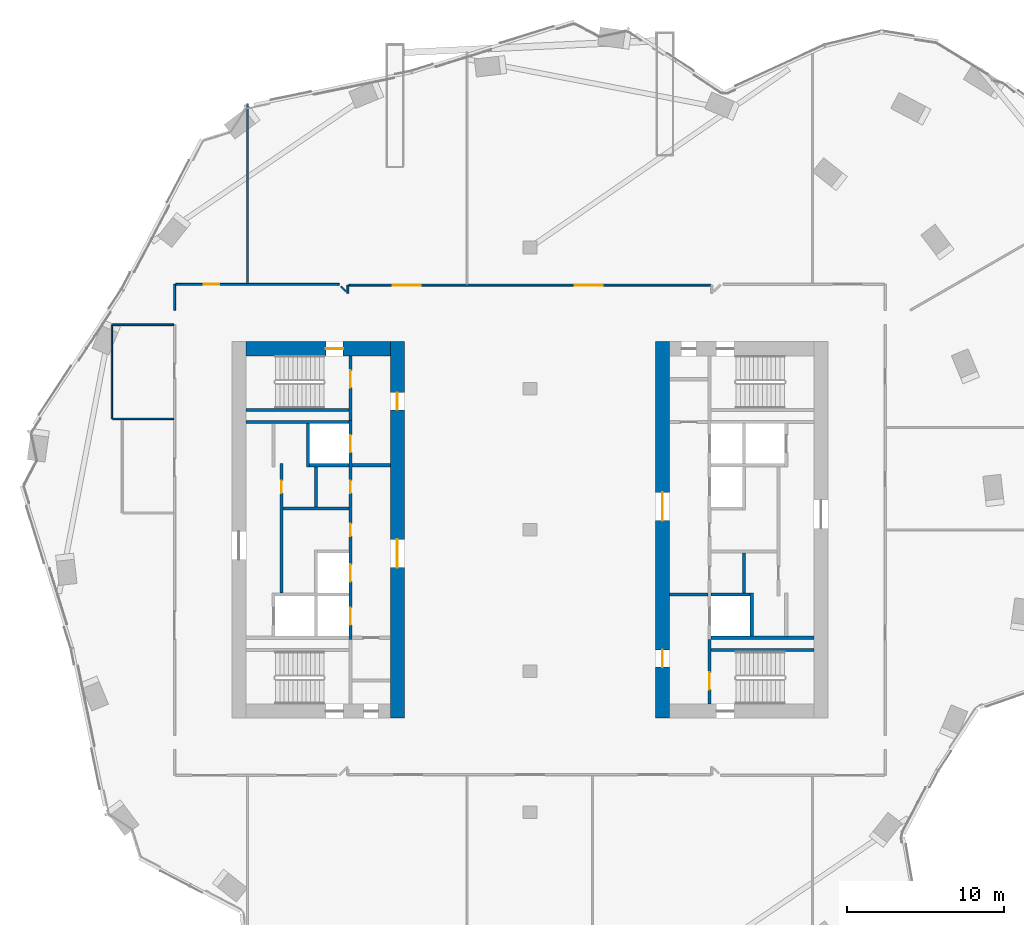
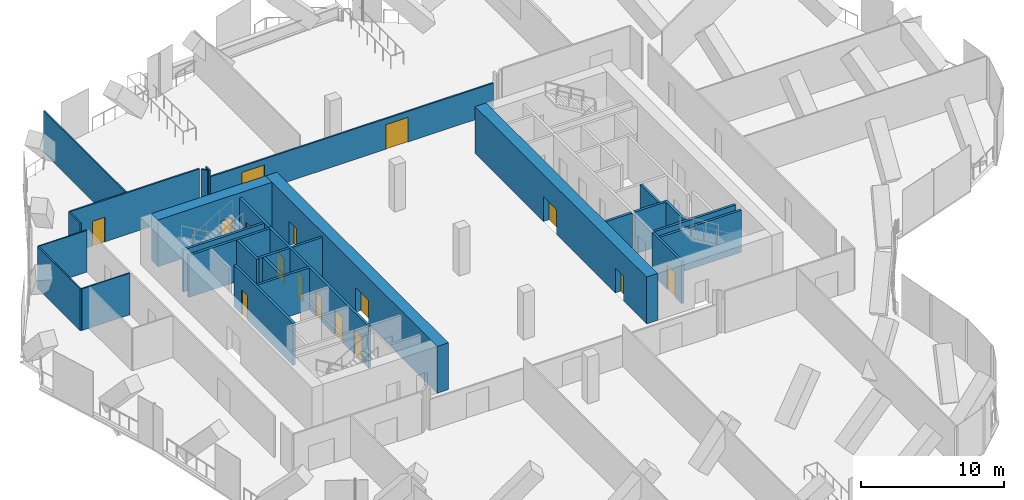
# One storey, part 19 of 26: 29 walls, 16 doors, 16 openings.
"""IFC4 building model written with IfcOpenShell, lengths in metres."""

from ifc_helpers import new_model, si_unit, direction, frame, frame_2d, origin, place, context, subcontext, project, spatial, rectangle, extrude, material, layer, layer_set, type_object, element, fill, save


model = new_model("IFC4")

# Units and contexts
model_context = context("Model", 3, precision=1e-05, world=origin(), true_north=direction((0.0, 1.0)))
body_context = subcontext(model_context, "Body", "Model", "MODEL_VIEW")
ifc_project = project(units=[si_unit("LENGTHUNIT", "METRE"), si_unit("AREAUNIT", "SQUARE_METRE"), si_unit("VOLUMEUNIT", "CUBIC_METRE"), si_unit("PLANEANGLEUNIT", "RADIAN"), si_unit("MASSUNIT", "GRAM", prefix="KILO")], contexts=[model_context])

# Site, building, storey
site_placement = place(None, origin())
site = spatial("IfcSite", under=ifc_project, at=site_placement, CompositionType="ELEMENT")
building_placement = place(site_placement, origin())
building = spatial("IfcBuilding", under=site, at=building_placement, Name="Orlundy Tower", CompositionType="ELEMENT")
storey_placement = place(building_placement, frame((0.0, 0.0, 249.5)))
storey = spatial("IfcBuildingStorey", under=building, at=storey_placement, Name="L66", CompositionType="ELEMENT", Elevation=249.5)

# Wall, opening, door
ifc_material_1 = material(Name="Concrete C60/75", Category="concrete")
ifc_layer_1 = layer(ifc_material_1, 0.89990234375)
ifc_layer_set_1 = layer_set([ifc_layer_1], Name="CORE WALL 900 C60/75")
wall_type_1 = type_object("IfcWallType", Name="CORE WALL 900 C60/75", PredefinedType="SHEAR", material=ifc_layer_set_1)
wall_1_placement = place(storey_placement, frame((-18.10009765625, 11.550048828125, 0.0), z_axis=(0.0, 0.0, 1.0), x_axis=(1.0, 0.0, 0.0)))
wall_1 = element("IfcWall", 1, at=wall_1_placement, inside=storey, type_object=wall_type_1, Name="Core wall W-N L66", PredefinedType="SHEAR", context=body_context, shape_type="SweptSolid", body=[
    extrude(rectangle(XDim=9.2001953125, YDim=0.89990234375, at=frame_2d((4.60009765625, 0.0))), origin(), (0.0, 0.0, 1.0), 4.0),
])
opening_1_placement = place(wall_1_placement, frame((5.10009765625, 0.0, 0.0)))
opening_1 = element("IfcOpeningElement", 2, at=opening_1_placement, cuts=wall_1, Name="Opening 50011", PredefinedType="OPENING", context=body_context, shape_type="SweptSolid", body=[
    extrude(rectangle(XDim=1.10009765625, YDim=2.10009765625, at=frame_2d((0.550048828125, 1.050048828125))), frame((0.0, 0.4599609375, 0.0), z_axis=(0.0, -1.0, 0.0), x_axis=(1.0, 0.0, 0.0)), (0.0, 0.0, 1.0), 0.919921875),
])
ifc_material_2 = material(Name="Steel door set", Category="steel")
door_type_1 = type_object("IfcDoorType", Name="Stair Door 1100x2100", OperationType="SINGLE_SWING_LEFT", PredefinedType="DOOR", material=ifc_material_2)
door_1_placement = place(opening_1_placement, origin())
door_1 = element("IfcDoor", 3, at=door_1_placement, inside=storey, type_object=door_type_1, Name="Stair door 50011", OperationType="SINGLE_SWING_RIGHT", OverallHeight=2.10009765625, OverallWidth=1.10009765625, PredefinedType="DOOR", context=body_context, shape_type="SweptSolid", body=[
    extrude(rectangle(XDim=1.10009765625, YDim=2.10009765625, at=frame_2d((0.550048828125, 1.050048828125))), frame((0.0, 0.02490234375, 0.0), z_axis=(0.0, -1.0, 0.0), x_axis=(1.0, 0.0, 0.0)), (0.0, 0.0, 1.0), 0.050048828125),
])
fill(opening_1, door_1)

# Wall, openings, doors
wall_2_placement = place(storey_placement, frame((-8.449951171875, -12.0, 0.0), z_axis=(0.0, 0.0, 1.0), x_axis=(0.0, 1.0, 0.0)))
wall_2 = element("IfcWall", 4, at=wall_2_placement, inside=storey, type_object=wall_type_1, Name="Core wall W-E L66", PredefinedType="SHEAR", context=body_context, shape_type="SweptSolid", body=[
    extrude(rectangle(XDim=24.0, YDim=0.89990234375, at=frame_2d((12.0, 0.0))), origin(), (0.0, 0.0, 1.0), 4.0),
])
opening_2_placement = place(wall_2_placement, frame((9.60009765625, 0.0, 0.0)))
opening_2 = element("IfcOpeningElement", 5, at=opening_2_placement, cuts=wall_2, Name="Opening 50008", PredefinedType="OPENING", context=body_context, shape_type="SweptSolid", body=[
    extrude(rectangle(XDim=1.800048828125, YDim=2.10009765625, at=frame_2d((0.89990234375, 1.050048828125))), frame((0.0, 0.4599609375, 0.0), z_axis=(0.0, -1.0, 0.0), x_axis=(1.0, 0.0, 0.0)), (0.0, 0.0, 1.0), 0.919921875),
])
opening_3_placement = place(wall_2_placement, frame((19.64990234375, 0.0, 0.0)))
opening_3 = element("IfcOpeningElement", 6, at=opening_3_placement, cuts=wall_2, Name="Opening 50010", PredefinedType="OPENING", context=body_context, shape_type="SweptSolid", body=[
    extrude(rectangle(XDim=1.10009765625, YDim=2.10009765625, at=frame_2d((0.550048828125, 1.050048828125))), frame((0.0, 0.4599609375, 0.0), z_axis=(0.0, -1.0, 0.0), x_axis=(1.0, 0.0, 0.0)), (0.0, 0.0, 1.0), 0.919921875),
])
ifc_material_3 = material(Name="Steel door set", Category="steel")
door_type_2 = type_object("IfcDoorType", Name="Fire-fighting Lobby Door 1100x2100", OperationType="SINGLE_SWING_LEFT", PredefinedType="DOOR", material=ifc_material_3)
door_2_placement = place(opening_3_placement, origin())
door_2 = element("IfcDoor", 7, at=door_2_placement, inside=storey, type_object=door_type_2, Name="Fire-fighting lobby door 50010", OperationType="SINGLE_SWING_RIGHT", OverallHeight=2.10009765625, OverallWidth=1.10009765625, PredefinedType="DOOR", context=body_context, shape_type="SweptSolid", body=[
    extrude(rectangle(XDim=1.10009765625, YDim=2.10009765625, at=frame_2d((0.550048828125, 1.050048828125))), frame((0.0, 0.02490234375, 0.0), z_axis=(0.0, -1.0, 0.0), x_axis=(1.0, 0.0, 0.0)), (0.0, 0.0, 1.0), 0.050048828125),
])
fill(opening_3, door_2)
ifc_material_4 = material(Name="Timber door set", Category="wood")
door_type_3 = type_object("IfcDoorType", Name="Lobby Door 1800x2100", OperationType="DOUBLE_DOOR_DOUBLE_SWING", PredefinedType="DOOR", material=ifc_material_4)
door_3_placement = place(opening_2_placement, origin())
door_3 = element("IfcDoor", 8, at=door_3_placement, inside=storey, type_object=door_type_3, Name="Lift lobby door 50008", OperationType="SINGLE_SWING_LEFT", OverallHeight=2.10009765625, OverallWidth=1.800048828125, PredefinedType="DOOR", context=body_context, shape_type="SweptSolid", body=[
    extrude(rectangle(XDim=1.800048828125, YDim=2.10009765625, at=frame_2d((0.89990234375, 1.050048828125))), frame((0.0, 0.02490234375, 0.0), z_axis=(0.0, -1.0, 0.0), x_axis=(1.0, 0.0, 0.0)), (0.0, 0.0, 1.0), 0.050048828125),
])
fill(opening_2, door_3)

wall_3_placement = place(storey_placement, frame((8.449951171875, -12.0, 0.0), z_axis=(0.0, 0.0, 1.0), x_axis=(0.0, 1.0, 0.0)))
wall_3 = element("IfcWall", 9, at=wall_3_placement, inside=storey, type_object=wall_type_1, Name="Core wall E-W L66", PredefinedType="SHEAR", context=body_context, shape_type="SweptSolid", body=[
    extrude(rectangle(XDim=24.0, YDim=0.89990234375, at=frame_2d((12.0, 0.0))), origin(), (0.0, 0.0, 1.0), 4.0),
])
opening_4_placement = place(wall_3_placement, frame((12.60009765625, 0.0, 0.0)))
opening_4 = element("IfcOpeningElement", 10, at=opening_4_placement, cuts=wall_3, Name="Opening 50057", PredefinedType="OPENING", context=body_context, shape_type="SweptSolid", body=[
    extrude(rectangle(XDim=1.800048828125, YDim=2.10009765625, at=frame_2d((0.89990234375, 1.050048828125))), frame((0.0, 0.4599609375, 0.0), z_axis=(0.0, -1.0, 0.0), x_axis=(1.0, 0.0, 0.0)), (0.0, 0.0, 1.0), 0.919921875),
])
opening_5_placement = place(wall_3_placement, frame((3.25, 0.0, 0.0)))
opening_5 = element("IfcOpeningElement", 11, at=opening_5_placement, cuts=wall_3, Name="Opening 50059", PredefinedType="OPENING", context=body_context, shape_type="SweptSolid", body=[
    extrude(rectangle(XDim=1.10009765625, YDim=2.10009765625, at=frame_2d((0.550048828125, 1.050048828125))), frame((0.0, 0.4599609375, 0.0), z_axis=(0.0, -1.0, 0.0), x_axis=(1.0, 0.0, 0.0)), (0.0, 0.0, 1.0), 0.919921875),
])
door_4_placement = place(opening_5_placement, origin())
door_4 = element("IfcDoor", 12, at=door_4_placement, inside=storey, type_object=door_type_2, Name="Fire-fighting lobby door 50059", OperationType="SINGLE_SWING_LEFT", OverallHeight=2.10009765625, OverallWidth=1.10009765625, PredefinedType="DOOR", context=body_context, shape_type="SweptSolid", body=[
    extrude(rectangle(XDim=1.10009765625, YDim=2.10009765625, at=frame_2d((0.550048828125, 1.050048828125))), frame((0.0, 0.02490234375, 0.0), z_axis=(0.0, -1.0, 0.0), x_axis=(1.0, 0.0, 0.0)), (0.0, 0.0, 1.0), 0.050048828125),
])
fill(opening_5, door_4)
door_5_placement = place(opening_4_placement, origin())
door_5 = element("IfcDoor", 13, at=door_5_placement, inside=storey, type_object=door_type_3, Name="Lift lobby door 50057", OperationType="SINGLE_SWING_RIGHT", OverallHeight=2.10009765625, OverallWidth=1.800048828125, PredefinedType="DOOR", context=body_context, shape_type="SweptSolid", body=[
    extrude(rectangle(XDim=1.800048828125, YDim=2.10009765625, at=frame_2d((0.89990234375, 1.050048828125))), frame((0.0, 0.02490234375, 0.0), z_axis=(0.0, -1.0, 0.0), x_axis=(1.0, 0.0, 0.0)), (0.0, 0.0, 1.0), 0.050048828125),
])
fill(opening_4, door_5)

# Walls
ifc_material_5 = material(Name="Gypsum board partition")
ifc_layer_2 = layer(ifc_material_5, 0.10009765625)
ifc_layer_set_2 = layer_set([ifc_layer_2], Name="Floor partition 100")
wall_type_2 = type_object("IfcWallType", Name="Floor partition 100", PredefinedType="PARTITIONING", material=ifc_layer_set_2)
wall_4_placement = place(storey_placement, frame((-26.597900390625, 7.077880859375, 0.0), z_axis=(0.0, 0.0, 1.0), x_axis=(1.0, 0.0, 0.0)))
element("IfcWall", 14, at=wall_4_placement, inside=storey, type_object=wall_type_2, Name="wall-int-L66-010", PredefinedType="PARTITIONING", context=body_context, shape_type="SweptSolid", body=[
    extrude(rectangle(XDim=3.885986328125, YDim=0.10009765625, at=frame_2d((1.94287109375, 0.0))), origin(), (0.0, 0.0, 1.0), 3.56005859375),
])
wall_5_placement = place(storey_placement, frame((-26.597900390625, 13.0791015625, 0.0), z_axis=(0.0, 0.0, 1.0), x_axis=(1.0, 0.0, 0.0)))
element("IfcWall", 15, at=wall_5_placement, inside=storey, type_object=wall_type_2, Name="wall-int-L66-011", PredefinedType="PARTITIONING", context=body_context, shape_type="SweptSolid", body=[
    extrude(rectangle(XDim=3.8828125, YDim=0.10009765625, at=frame_2d((1.94140625, 0.0))), origin(), (0.0, 0.0, 1.0), 3.56005859375),
])
wall_6_placement = place(storey_placement, frame((-18.0, 15.712890625, 0.0), z_axis=(0.0, 0.0, 1.0), x_axis=(0.0, 1.0, 0.0)))
element("IfcWall", 16, at=wall_6_placement, inside=storey, type_object=wall_type_2, Name="wall-int-L66-030", PredefinedType="PARTITIONING", context=body_context, shape_type="SweptSolid", body=[
    extrude(rectangle(XDim=11.4580078125, YDim=0.10009765625, at=frame_2d((5.72900390625, 0.0))), origin(), (0.0, 0.0, 1.0), 3.56005859375),
])
wall_7_placement = place(storey_placement, frame((-26.64794921875, 7.077880859375, 0.0), z_axis=(0.0, 0.0, 1.0), x_axis=(0.0, 1.0, 0.0)))
element("IfcWall", 17, at=wall_7_placement, inside=storey, type_object=wall_type_2, Name="wall-int-L66-035", PredefinedType="PARTITIONING", context=body_context, shape_type="SweptSolid", body=[
    extrude(rectangle(XDim=6.001220703125, YDim=0.10009765625, at=frame_2d((3.00048828125, 0.0))), origin(), (0.0, 0.0, 1.0), 3.56005859375),
])
ifc_material_6 = material(Name="Gypsum board partition, double layer")
ifc_layer_3 = layer(ifc_material_6, 0.125)
ifc_layer_set_3 = layer_set([ifc_layer_3], Name="Floor partition 125")
wall_type_3 = type_object("IfcWallType", Name="Floor partition 125", PredefinedType="PARTITIONING", material=ifc_layer_set_3)
wall_8_placement = place(storey_placement, frame((-12.0458984375, 15.52392578125, 0.0), z_axis=(0.0, 0.0, 1.0), x_axis=(0.707106781187, -0.707106781187, 0.0)))
element("IfcWall", 18, at=wall_8_placement, inside=storey, type_object=wall_type_3, Name="wall-int-L66-003", PredefinedType="PARTITIONING", context=body_context, shape_type="SweptSolid", body=[
    extrude(rectangle(XDim=0.449462890625, YDim=0.125, at=frame_2d((0.224609375, 0.0))), origin(), (0.0, 0.0, 1.0), 3.56005859375),
])

# Wall, opening, door
wall_9_placement = place(storey_placement, frame((-22.5869140625, 15.65087890625, 0.0), z_axis=(0.0, 0.0, 1.0), x_axis=(1.0, 0.0, 0.0)))
wall_9 = element("IfcWall", 19, at=wall_9_placement, inside=storey, type_object=wall_type_3, Name="wall-int-L66-013", PredefinedType="PARTITIONING", context=body_context, shape_type="SweptSolid", body=[
    extrude(rectangle(XDim=10.427001953125, YDim=0.125, at=frame_2d((5.21337890625, 0.0))), origin(), (0.0, 0.0, 1.0), 3.56005859375),
])
opening_6_placement = place(wall_9_placement, frame((1.78759765625, 0.0, 0.0)))
opening_6 = element("IfcOpeningElement", 20, at=opening_6_placement, cuts=wall_9, Name="Opening 50112", PredefinedType="OPENING", context=body_context, shape_type="SweptSolid", body=[
    extrude(rectangle(XDim=1.0, YDim=2.10009765625, at=frame_2d((0.5, 1.050048828125))), frame((0.0, 0.072509765625, 0.0), z_axis=(0.0, -1.0, 0.0), x_axis=(1.0, 0.0, 0.0)), (0.0, 0.0, 1.0), 0.14501953125),
])
ifc_material_7 = material(Name="Timber door leaf", Category="wood")
door_type_4 = type_object("IfcDoorType", Name="Floor door wide 1000 FD30S", OperationType="NOTDEFINED", PredefinedType="DOOR", material=ifc_material_7)
door_6_placement = place(opening_6_placement, origin())
door_6 = element("IfcDoor", 21, at=door_6_placement, inside=storey, type_object=door_type_4, Name="Door 50112", OperationType="SINGLE_SWING_LEFT", OverallHeight=2.10009765625, OverallWidth=1.0, PredefinedType="DOOR", context=body_context, shape_type="SweptSolid", body=[
    extrude(rectangle(XDim=1.0, YDim=2.10009765625, at=frame_2d((0.5, 1.050048828125))), frame((0.0, 0.02490234375, 0.0), z_axis=(0.0, -1.0, 0.0), x_axis=(1.0, 0.0, 0.0)), (0.0, 0.0, 1.0), 0.050048828125),
])
fill(opening_6, door_6)

# Walls
wall_10_placement = place(storey_placement, frame((-11.60107421875, 15.092041015625, 0.0), z_axis=(0.0, 0.0, 1.0), x_axis=(0.00192214926, 0.999998152669, 0.0)))
element("IfcWall", 22, at=wall_10_placement, inside=storey, type_object=wall_type_3, Name="wall-int-L66-018", PredefinedType="PARTITIONING", context=body_context, shape_type="SweptSolid", body=[
    extrude(rectangle(XDim=0.508056640625, YDim=0.125, at=frame_2d((0.25390625, 0.0))), origin(), (0.0, 0.0, 1.0), 3.56005859375),
])
wall_11_placement = place(storey_placement, frame((-22.64990234375, 14.0, 0.0), z_axis=(0.0, 0.0, 1.0), x_axis=(0.0, 1.0, 0.0)))
element("IfcWall", 23, at=wall_11_placement, inside=storey, type_object=wall_type_3, Name="wall-int-L66-033", PredefinedType="PARTITIONING", context=body_context, shape_type="SweptSolid", body=[
    extrude(rectangle(XDim=1.65087890625, YDim=0.125, at=frame_2d((0.825439453125, 0.0))), origin(), (0.0, 0.0, 1.0), 3.56005859375),
])

# Wall, openings, doors
ifc_material_8 = material(Name="Gypsum board partition, double layer")
ifc_layer_4 = layer(ifc_material_8, 0.125)
ifc_layer_set_4 = layer_set([ifc_layer_4], Name="Floor partition 125 B")
wall_type_4 = type_object("IfcWallType", Name="Floor partition 125 B", PredefinedType="PARTITIONING", material=ifc_layer_set_4)
wall_12_placement = place(storey_placement, frame((-11.537109375, 15.60107421875, 0.0), z_axis=(0.0, 0.0, 1.0), x_axis=(1.0, 0.0, 0.0)))
wall_12 = element("IfcWall", 24, at=wall_12_placement, inside=storey, type_object=wall_type_4, Name="wall-int-L66-012", PredefinedType="PARTITIONING", context=body_context, shape_type="SweptSolid", body=[
    extrude(rectangle(XDim=23.07421875, YDim=0.125, at=frame_2d((11.537109375, 0.0))), origin(), (0.0, 0.0, 1.0), 2.61279296875),
])
opening_7_placement = place(wall_12_placement, frame((14.387451171875, 0.0, 0.0)))
opening_7 = element("IfcOpeningElement", 25, at=opening_7_placement, cuts=wall_12, Name="Opening 50110", PredefinedType="OPENING", context=body_context, shape_type="SweptSolid", body=[
    extrude(rectangle(XDim=1.800048828125, YDim=2.10009765625, at=frame_2d((0.89990234375, 1.050048828125))), frame((0.0, 0.072509765625, 0.0), z_axis=(0.0, -1.0, 0.0), x_axis=(1.0, 0.0, 0.0)), (0.0, 0.0, 1.0), 0.14501953125),
])
opening_8_placement = place(wall_12_placement, frame((2.78759765625, 0.0, 0.0)))
opening_8 = element("IfcOpeningElement", 26, at=opening_8_placement, cuts=wall_12, Name="Opening 50111", PredefinedType="OPENING", context=body_context, shape_type="SweptSolid", body=[
    extrude(rectangle(XDim=1.800048828125, YDim=2.10009765625, at=frame_2d((0.89990234375, 1.050048828125))), frame((0.0, 0.072509765625, 0.0), z_axis=(0.0, -1.0, 0.0), x_axis=(1.0, 0.0, 0.0)), (0.0, 0.0, 1.0), 0.14501953125),
])
ifc_material_9 = material(Name="Timber door leaf", Category="wood")
door_type_5 = type_object("IfcDoorType", Name="Floor door double 1800 FD30S", OperationType="NOTDEFINED", PredefinedType="DOOR", material=ifc_material_9)
door_7_placement = place(opening_7_placement, origin())
door_7 = element("IfcDoor", 27, at=door_7_placement, inside=storey, type_object=door_type_5, Name="Door 50110", OperationType="DOUBLE_DOOR_SINGLE_SWING", OverallHeight=2.10009765625, OverallWidth=1.800048828125, PredefinedType="DOOR", context=body_context, shape_type="SweptSolid", body=[
    extrude(rectangle(XDim=1.800048828125, YDim=2.10009765625, at=frame_2d((0.89990234375, 1.050048828125))), frame((0.0, 0.02490234375, 0.0), z_axis=(0.0, -1.0, 0.0), x_axis=(1.0, 0.0, 0.0)), (0.0, 0.0, 1.0), 0.050048828125),
])
fill(opening_7, door_7)
door_8_placement = place(opening_8_placement, origin())
door_8 = element("IfcDoor", 28, at=door_8_placement, inside=storey, type_object=door_type_5, Name="Door 50111", OperationType="DOUBLE_DOOR_SINGLE_SWING", OverallHeight=2.10009765625, OverallWidth=1.800048828125, PredefinedType="DOOR", context=body_context, shape_type="SweptSolid", body=[
    extrude(rectangle(XDim=1.800048828125, YDim=2.10009765625, at=frame_2d((0.89990234375, 1.050048828125))), frame((0.0, 0.02490234375, 0.0), z_axis=(0.0, -1.0, 0.0), x_axis=(1.0, 0.0, 0.0)), (0.0, 0.0, 1.0), 0.050048828125),
])
fill(opening_8, door_8)

# Wall, opening, door
ifc_material_10 = material(Name="Concrete C40/50", Category="concrete")
ifc_layer_5 = layer(ifc_material_10, 0.199951171875)
ifc_layer_set_5 = layer_set([ifc_layer_5], Name="Load-bearing Shaft Wall 200")
wall_type_5 = type_object("IfcWallType", Name="Load-bearing Shaft Wall 200", PredefinedType="SOLIDWALL", material=ifc_layer_set_5)
wall_13_placement = place(storey_placement, frame((-11.43994140625, 6.97509765625, 0.0), z_axis=(0.0, 0.0, 1.0), x_axis=(0.0, 1.0, 0.0)))
wall_13 = element("IfcWall", 29, at=wall_13_placement, inside=storey, type_object=wall_type_5, Name="Shaft wall W50-stair-end-n", PredefinedType="SOLIDWALL", context=body_context, shape_type="SweptSolid", body=[
    extrude(rectangle(XDim=4.125, YDim=0.199951171875, at=frame_2d((2.0625, 0.0))), origin(), (0.0, 0.0, 1.0), 3.580078125),
])
opening_9_placement = place(wall_13_placement, frame((2.10009765625, 0.0, 0.0)))
opening_9 = element("IfcOpeningElement", 30, at=opening_9_placement, cuts=wall_13, Name="Opening 50013", PredefinedType="OPENING", context=body_context, shape_type="SweptSolid", body=[
    extrude(rectangle(XDim=1.10009765625, YDim=2.10009765625, at=frame_2d((0.550048828125, 1.050048828125))), frame((0.0, 0.110107421875, 0.0), z_axis=(0.0, -1.0, 0.0), x_axis=(1.0, 0.0, 0.0)), (0.0, 0.0, 1.0), 0.22021484375),
])
door_9_placement = place(opening_9_placement, origin())
door_9 = element("IfcDoor", 31, at=door_9_placement, inside=storey, type_object=door_type_2, Name="Fire-fighting lobby to stair door 50013", OperationType="SINGLE_SWING_RIGHT", OverallHeight=2.10009765625, OverallWidth=1.10009765625, PredefinedType="DOOR", context=body_context, shape_type="SweptSolid", body=[
    extrude(rectangle(XDim=1.10009765625, YDim=2.10009765625, at=frame_2d((0.550048828125, 1.050048828125))), frame((0.0, 0.02490234375, 0.0), z_axis=(0.0, -1.0, 0.0), x_axis=(1.0, 0.0, 0.0)), (0.0, 0.0, 1.0), 0.050048828125),
])
fill(opening_9, door_9)

# Wall
wall_14_placement = place(storey_placement, frame((-11.5400390625, 7.64990234375, 0.0), z_axis=(0.0, 0.0, 1.0), x_axis=(-1.0, 0.0, 0.0)))
element("IfcWall", 32, at=wall_14_placement, inside=storey, type_object=wall_type_5, Name="Shaft wall W50-stair-side-n", PredefinedType="SOLIDWALL", context=body_context, shape_type="SweptSolid", body=[
    extrude(rectangle(XDim=6.56005859375, YDim=0.199951171875, at=frame_2d((3.280029296875, 0.0))), origin(), (0.0, 0.0, 1.0), 3.580078125),
])

# Wall, opening, door
wall_15_placement = place(storey_placement, frame((11.43994140625, -6.97509765625, 0.0), z_axis=(0.0, 0.0, 1.0), x_axis=(0.0, -1.0, 0.0)))
wall_15 = element("IfcWall", 33, at=wall_15_placement, inside=storey, type_object=wall_type_5, Name="Shaft wall E50-stair-end-n", PredefinedType="SOLIDWALL", context=body_context, shape_type="SweptSolid", body=[
    extrude(rectangle(XDim=4.125, YDim=0.199951171875, at=frame_2d((2.0625, 0.0))), origin(), (0.0, 0.0, 1.0), 3.580078125),
])
opening_10_placement = place(wall_15_placement, frame((2.10009765625, 0.0, 0.0)))
opening_10 = element("IfcOpeningElement", 34, at=opening_10_placement, cuts=wall_15, Name="Opening 50062", PredefinedType="OPENING", context=body_context, shape_type="SweptSolid", body=[
    extrude(rectangle(XDim=1.10009765625, YDim=2.10009765625, at=frame_2d((0.550048828125, 1.050048828125))), frame((0.0, 0.110107421875, 0.0), z_axis=(0.0, -1.0, 0.0), x_axis=(1.0, 0.0, 0.0)), (0.0, 0.0, 1.0), 0.22021484375),
])
door_10_placement = place(opening_10_placement, origin())
door_10 = element("IfcDoor", 35, at=door_10_placement, inside=storey, type_object=door_type_2, Name="Fire-fighting lobby to stair door 50062", OperationType="SINGLE_SWING_RIGHT", OverallHeight=2.10009765625, OverallWidth=1.10009765625, PredefinedType="DOOR", context=body_context, shape_type="SweptSolid", body=[
    extrude(rectangle(XDim=1.10009765625, YDim=2.10009765625, at=frame_2d((0.550048828125, 1.050048828125))), frame((0.0, 0.02490234375, 0.0), z_axis=(0.0, -1.0, 0.0), x_axis=(1.0, 0.0, 0.0)), (0.0, 0.0, 1.0), 0.050048828125),
])
fill(opening_10, door_10)

# Walls
wall_16_placement = place(storey_placement, frame((11.5400390625, -7.64990234375, 0.0), z_axis=(0.0, 0.0, 1.0), x_axis=(1.0, 0.0, 0.0)))
element("IfcWall", 36, at=wall_16_placement, inside=storey, type_object=wall_type_5, Name="Shaft wall E50-stair-side-n", PredefinedType="SOLIDWALL", context=body_context, shape_type="SweptSolid", body=[
    extrude(rectangle(XDim=6.56005859375, YDim=0.199951171875, at=frame_2d((3.280029296875, 0.0))), origin(), (0.0, 0.0, 1.0), 3.580078125),
])
ifc_material_11 = material(Name="Gypsum board partition on steel studs", Category="steel")
ifc_layer_6 = layer(ifc_material_11, 0.199951171875)
ifc_layer_set_6 = layer_set([ifc_layer_6], Name="Partition 200")
wall_type_6 = type_object("IfcWallType", Name="Partition 200", PredefinedType="PARTITIONING", material=ifc_layer_set_6)
for number, where, z_axis, x_axis, name in (
    (37, (-8.89990234375, 4.125, 0.0), (0.0, 0.0, 1.0), (-1.0, 0.0, 0.0), "Partition wall W50-lobby-n"),
    (38, (8.89990234375, -4.125, 0.0), (0.0, 0.0, 1.0), (1.0, 0.0, 0.0), "Partition wall E50-lobby-n"),
):
    element("IfcWall", number, at=place(storey_placement, frame(where, z_axis=z_axis, x_axis=x_axis)), inside=storey, type_object=wall_type_6, Name=name, PredefinedType="PARTITIONING", context=body_context, shape_type="SweptSolid", body=[
        extrude(rectangle(XDim=2.440185546875, YDim=0.199951171875, at=frame_2d((1.22021484375, 0.0))), origin(), (0.0, 0.0, 1.0), 3.580078125),
    ])
ifc_material_12 = material(Name="Fire-rated blockwork shaft wall", Category="masonry")
ifc_layer_7 = layer(ifc_material_12, 0.199951171875)
ifc_layer_set_7 = layer_set([ifc_layer_7], Name="Shaft Wall 200")
wall_type_7 = type_object("IfcWallType", Name="Shaft Wall 200", PredefinedType="SOLIDWALL", material=ifc_layer_set_7)
wall_17_placement = place(storey_placement, frame((-11.5400390625, 6.875, 0.0), z_axis=(0.0, 0.0, 1.0), x_axis=(-1.0, 0.0, 0.0)))
element("IfcWall", 39, at=wall_17_placement, inside=storey, type_object=wall_type_7, Name="Shaft wall W50-zone-n", PredefinedType="SOLIDWALL", context=body_context, shape_type="SweptSolid", body=[
    extrude(rectangle(XDim=6.56005859375, YDim=0.199951171875, at=frame_2d((3.280029296875, 0.0))), origin(), (0.0, 0.0, 1.0), 3.580078125),
])
wall_18_placement = place(storey_placement, frame((-11.5400390625, 1.375, 0.0), z_axis=(0.0, 0.0, 1.0), x_axis=(-1.0, 0.0, 0.0)))
element("IfcWall", 40, at=wall_18_placement, inside=storey, type_object=wall_type_7, Name="Shaft wall W50-cross+1.375", PredefinedType="SOLIDWALL", context=body_context, shape_type="SweptSolid", body=[
    extrude(rectangle(XDim=4.199951171875, YDim=0.199951171875, at=frame_2d((2.10009765625, 0.0))), origin(), (0.0, 0.0, 1.0), 3.580078125),
])
wall_19_placement = place(storey_placement, frame((-11.5400390625, 4.125, 0.0), z_axis=(0.0, 0.0, 1.0), x_axis=(-1.0, 0.0, 0.0)))
element("IfcWall", 41, at=wall_19_placement, inside=storey, type_object=wall_type_7, Name="Shaft wall W50-cross+4.125", PredefinedType="SOLIDWALL", context=body_context, shape_type="SweptSolid", body=[
    extrude(rectangle(XDim=2.5, YDim=0.199951171875, at=frame_2d((1.25, 0.0))), origin(), (0.0, 0.0, 1.0), 3.580078125),
])

# Wall, openings, doors
wall_20_placement = place(storey_placement, frame((-11.43994140625, -6.97509765625, 0.0), z_axis=(0.0, 0.0, 1.0), x_axis=(0.0, 1.0, 0.0)))
wall_20 = element("IfcWall", 42, at=wall_20_placement, inside=storey, type_object=wall_type_7, Name="Shaft wall W50-front-h", PredefinedType="SOLIDWALL", context=body_context, shape_type="SweptSolid", body=[
    extrude(rectangle(XDim=13.9501953125, YDim=0.199951171875, at=frame_2d((6.97509765625, 0.0))), origin(), (0.0, 0.0, 1.0), 3.580078125),
])
opening_11_placement = place(wall_20_placement, frame((0.925048828125, 0.0, 0.0)))
opening_11 = element("IfcOpeningElement", 43, at=opening_11_placement, cuts=wall_20, Name="Opening 50001", PredefinedType="OPENING", context=body_context, shape_type="SweptSolid", body=[
    extrude(rectangle(XDim=1.10009765625, YDim=2.10009765625, at=frame_2d((0.550048828125, 1.050048828125))), frame((0.0, 0.110107421875, 0.0), z_axis=(0.0, -1.0, 0.0), x_axis=(1.0, 0.0, 0.0)), (0.0, 0.0, 1.0), 0.22021484375),
])
opening_12_placement = place(wall_20_placement, frame((3.675048828125, 0.0, 0.0)))
opening_12 = element("IfcOpeningElement", 44, at=opening_12_placement, cuts=wall_20, Name="Opening 50003", PredefinedType="OPENING", context=body_context, shape_type="SweptSolid", body=[
    extrude(rectangle(XDim=1.10009765625, YDim=2.10009765625, at=frame_2d((0.550048828125, 1.050048828125))), frame((0.0, 0.110107421875, 0.0), z_axis=(0.0, -1.0, 0.0), x_axis=(1.0, 0.0, 0.0)), (0.0, 0.0, 1.0), 0.22021484375),
])
opening_13_placement = place(wall_20_placement, frame((11.925048828125, 0.0, 0.0)))
opening_13 = element("IfcOpeningElement", 45, at=opening_13_placement, cuts=wall_20, Name="Opening 50004", PredefinedType="OPENING", context=body_context, shape_type="SweptSolid", body=[
    extrude(rectangle(XDim=1.10009765625, YDim=2.10009765625, at=frame_2d((0.550048828125, 1.050048828125))), frame((0.0, 0.110107421875, 0.0), z_axis=(0.0, -1.0, 0.0), x_axis=(1.0, 0.0, 0.0)), (0.0, 0.0, 1.0), 0.22021484375),
])
opening_14_placement = place(wall_20_placement, frame((6.574951171875, 0.0, 0.0)))
opening_14 = element("IfcOpeningElement", 46, at=opening_14_placement, cuts=wall_20, Name="Opening 50005", PredefinedType="OPENING", context=body_context, shape_type="SweptSolid", body=[
    extrude(rectangle(XDim=0.800048828125, YDim=2.10009765625, at=frame_2d((0.39990234375, 1.050048828125))), frame((0.0, 0.110107421875, 0.0), z_axis=(0.0, -1.0, 0.0), x_axis=(1.0, 0.0, 0.0)), (0.0, 0.0, 1.0), 0.22021484375),
])
opening_15_placement = place(wall_20_placement, frame((9.324951171875, 0.0, 0.0)))
opening_15 = element("IfcOpeningElement", 47, at=opening_15_placement, cuts=wall_20, Name="Opening 50006", PredefinedType="OPENING", context=body_context, shape_type="SweptSolid", body=[
    extrude(rectangle(XDim=0.800048828125, YDim=2.10009765625, at=frame_2d((0.39990234375, 1.050048828125))), frame((0.0, 0.110107421875, 0.0), z_axis=(0.0, -1.0, 0.0), x_axis=(1.0, 0.0, 0.0)), (0.0, 0.0, 1.0), 0.22021484375),
])
ifc_material_13 = material(Name="Steel door set", Category="steel")
door_type_6 = type_object("IfcDoorType", Name="Landing Door 1100x2100", OperationType="DOUBLE_DOOR_SLIDING", PredefinedType="DOOR", material=ifc_material_13)
door_11_placement = place(opening_11_placement, origin())
door_11 = element("IfcDoor", 48, at=door_11_placement, inside=storey, type_object=door_type_6, Name="Lift landing door LP-22 50001", OperationType="DOUBLE_DOOR_SLIDING", OverallHeight=2.10009765625, OverallWidth=1.10009765625, PredefinedType="DOOR", context=body_context, shape_type="SweptSolid", body=[
    extrude(rectangle(XDim=1.10009765625, YDim=2.10009765625, at=frame_2d((0.550048828125, 1.050048828125))), frame((0.0, 0.02490234375, 0.0), z_axis=(0.0, -1.0, 0.0), x_axis=(1.0, 0.0, 0.0)), (0.0, 0.0, 1.0), 0.050048828125),
])
fill(opening_11, door_11)
door_12_placement = place(opening_12_placement, origin())
door_12 = element("IfcDoor", 49, at=door_12_placement, inside=storey, type_object=door_type_6, Name="Lift landing door LP-21 50003", OperationType="DOUBLE_DOOR_SLIDING", OverallHeight=2.10009765625, OverallWidth=1.10009765625, PredefinedType="DOOR", context=body_context, shape_type="SweptSolid", body=[
    extrude(rectangle(XDim=1.10009765625, YDim=2.10009765625, at=frame_2d((0.550048828125, 1.050048828125))), frame((0.0, 0.02490234375, 0.0), z_axis=(0.0, -1.0, 0.0), x_axis=(1.0, 0.0, 0.0)), (0.0, 0.0, 1.0), 0.050048828125),
])
fill(opening_12, door_12)
door_13_placement = place(opening_13_placement, origin())
door_13 = element("IfcDoor", 50, at=door_13_placement, inside=storey, type_object=door_type_6, Name="Lift landing door FL1 50004", OperationType="DOUBLE_DOOR_SLIDING", OverallHeight=2.10009765625, OverallWidth=1.10009765625, PredefinedType="DOOR", context=body_context, shape_type="SweptSolid", body=[
    extrude(rectangle(XDim=1.10009765625, YDim=2.10009765625, at=frame_2d((0.550048828125, 1.050048828125))), frame((0.0, 0.02490234375, 0.0), z_axis=(0.0, -1.0, 0.0), x_axis=(1.0, 0.0, 0.0)), (0.0, 0.0, 1.0), 0.050048828125),
])
fill(opening_13, door_13)
ifc_material_14 = material(Name="Timber door set", Category="wood")
door_type_7 = type_object("IfcDoorType", Name="Riser Door 800x2100", OperationType="SINGLE_SWING_LEFT", PredefinedType="DOOR", material=ifc_material_14)
door_14_placement = place(opening_14_placement, origin())
door_14 = element("IfcDoor", 51, at=door_14_placement, inside=storey, type_object=door_type_7, Name="Refuse Room door 50005", OperationType="SINGLE_SWING_RIGHT", OverallHeight=2.10009765625, OverallWidth=0.800048828125, PredefinedType="DOOR", context=body_context, shape_type="SweptSolid", body=[
    extrude(rectangle(XDim=0.800048828125, YDim=2.10009765625, at=frame_2d((0.39990234375, 1.050048828125))), frame((0.0, 0.02490234375, 0.0), z_axis=(0.0, -1.0, 0.0), x_axis=(1.0, 0.0, 0.0)), (0.0, 0.0, 1.0), 0.050048828125),
])
fill(opening_14, door_14)
door_15_placement = place(opening_15_placement, origin())
door_15 = element("IfcDoor", 52, at=door_15_placement, inside=storey, type_object=door_type_7, Name="Cleaner's Store door 50006", OperationType="SINGLE_SWING_LEFT", OverallHeight=2.10009765625, OverallWidth=0.800048828125, PredefinedType="DOOR", context=body_context, shape_type="SweptSolid", body=[
    extrude(rectangle(XDim=0.800048828125, YDim=2.10009765625, at=frame_2d((0.39990234375, 1.050048828125))), frame((0.0, 0.02490234375, 0.0), z_axis=(0.0, -1.0, 0.0), x_axis=(1.0, 0.0, 0.0)), (0.0, 0.0, 1.0), 0.050048828125),
])
fill(opening_15, door_15)

# Walls
wall_21_placement = place(storey_placement, frame((-13.639892578125, 1.47509765625, 0.0), z_axis=(0.0, 0.0, 1.0), x_axis=(0.0, 1.0, 0.0)))
element("IfcWall", 53, at=wall_21_placement, inside=storey, type_object=wall_type_7, Name="Shaft wall W50-mid-a1", PredefinedType="SOLIDWALL", context=body_context, shape_type="SweptSolid", body=[
    extrude(rectangle(XDim=2.5498046875, YDim=0.199951171875, at=frame_2d((1.27490234375, 0.0))), origin(), (0.0, 0.0, 1.0), 3.580078125),
])
wall_22_placement = place(storey_placement, frame((-14.139892578125, 4.02490234375, 0.0), z_axis=(0.0, 0.0, 1.0), x_axis=(0.0, 1.0, 0.0)))
element("IfcWall", 54, at=wall_22_placement, inside=storey, type_object=wall_type_7, Name="Shaft wall W50-mid-b", PredefinedType="SOLIDWALL", context=body_context, shape_type="SweptSolid", body=[
    extrude(rectangle(XDim=2.75, YDim=0.199951171875, at=frame_2d((1.375, 0.0))), origin(), (0.0, 0.0, 1.0), 3.580078125),
])

# Wall, opening, door
wall_23_placement = place(storey_placement, frame((-15.840087890625, -4.02490234375, 0.0), z_axis=(0.0, 0.0, 1.0), x_axis=(0.0, 1.0, 0.0)))
wall_23 = element("IfcWall", 55, at=wall_23_placement, inside=storey, type_object=wall_type_7, Name="Shaft wall W50-front-o-b", PredefinedType="SOLIDWALL", context=body_context, shape_type="SweptSolid", body=[
    extrude(rectangle(XDim=8.25, YDim=0.199951171875, at=frame_2d((4.125, 0.0))), origin(), (0.0, 0.0, 1.0), 3.580078125),
])
opening_16_placement = place(wall_23_placement, frame((6.375, 0.0, 0.0)))
opening_16 = element("IfcOpeningElement", 56, at=opening_16_placement, cuts=wall_23, Name="Opening 50007", PredefinedType="OPENING", context=body_context, shape_type="SweptSolid", body=[
    extrude(rectangle(XDim=0.800048828125, YDim=2.10009765625, at=frame_2d((0.39990234375, 1.050048828125))), frame((0.0, 0.110107421875, 0.0), z_axis=(0.0, -1.0, 0.0), x_axis=(1.0, 0.0, 0.0)), (0.0, 0.0, 1.0), 0.22021484375),
])
door_16_placement = place(opening_16_placement, origin())
door_16 = element("IfcDoor", 57, at=door_16_placement, inside=storey, type_object=door_type_7, Name="Janitor Store door 50007", OperationType="SINGLE_SWING_LEFT", OverallHeight=2.10009765625, OverallWidth=0.800048828125, PredefinedType="DOOR", context=body_context, shape_type="SweptSolid", body=[
    extrude(rectangle(XDim=0.800048828125, YDim=2.10009765625, at=frame_2d((0.39990234375, 1.050048828125))), frame((0.0, 0.02490234375, 0.0), z_axis=(0.0, -1.0, 0.0), x_axis=(1.0, 0.0, 0.0)), (0.0, 0.0, 1.0), 0.050048828125),
])
fill(opening_16, door_16)

# Walls
wall_24_placement = place(storey_placement, frame((11.5400390625, -6.875, 0.0), z_axis=(0.0, 0.0, 1.0), x_axis=(1.0, 0.0, 0.0)))
element("IfcWall", 58, at=wall_24_placement, inside=storey, type_object=wall_type_7, Name="Shaft wall E50-zone-n", PredefinedType="SOLIDWALL", context=body_context, shape_type="SweptSolid", body=[
    extrude(rectangle(XDim=6.56005859375, YDim=0.199951171875, at=frame_2d((3.280029296875, 0.0))), origin(), (0.0, 0.0, 1.0), 3.580078125),
])
wall_25_placement = place(storey_placement, frame((11.5400390625, -4.125, 0.0), z_axis=(0.0, 0.0, 1.0), x_axis=(1.0, 0.0, 0.0)))
element("IfcWall", 59, at=wall_25_placement, inside=storey, type_object=wall_type_7, Name="Shaft wall E50-cross+4.125", PredefinedType="SOLIDWALL", context=body_context, shape_type="SweptSolid", body=[
    extrude(rectangle(XDim=2.5, YDim=0.199951171875, at=frame_2d((1.25, 0.0))), origin(), (0.0, 0.0, 1.0), 3.580078125),
])
wall_26_placement = place(storey_placement, frame((13.639892578125, -1.47509765625, 0.0), z_axis=(0.0, 0.0, 1.0), x_axis=(0.0, -1.0, 0.0)))
element("IfcWall", 60, at=wall_26_placement, inside=storey, type_object=wall_type_7, Name="Shaft wall E50-mid-a1", PredefinedType="SOLIDWALL", context=body_context, shape_type="SweptSolid", body=[
    extrude(rectangle(XDim=2.5498046875, YDim=0.199951171875, at=frame_2d((1.27490234375, 0.0))), origin(), (0.0, 0.0, 1.0), 3.580078125),
])
wall_27_placement = place(storey_placement, frame((14.139892578125, -4.02490234375, 0.0), z_axis=(0.0, 0.0, 1.0), x_axis=(0.0, -1.0, 0.0)))
element("IfcWall", 61, at=wall_27_placement, inside=storey, type_object=wall_type_7, Name="Shaft wall E50-mid-b", PredefinedType="SOLIDWALL", context=body_context, shape_type="SweptSolid", body=[
    extrude(rectangle(XDim=2.75, YDim=0.199951171875, at=frame_2d((1.375, 0.0))), origin(), (0.0, 0.0, 1.0), 3.580078125),
])

save(model, "model.ifc")
